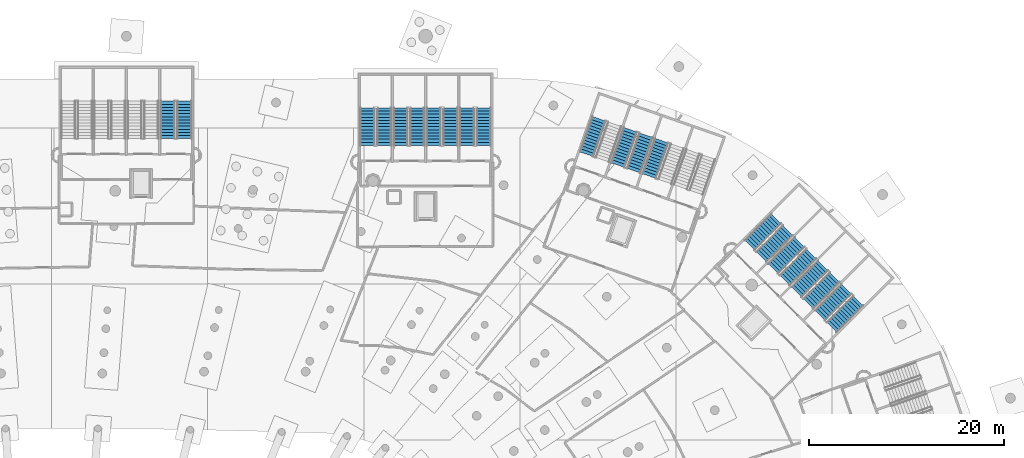
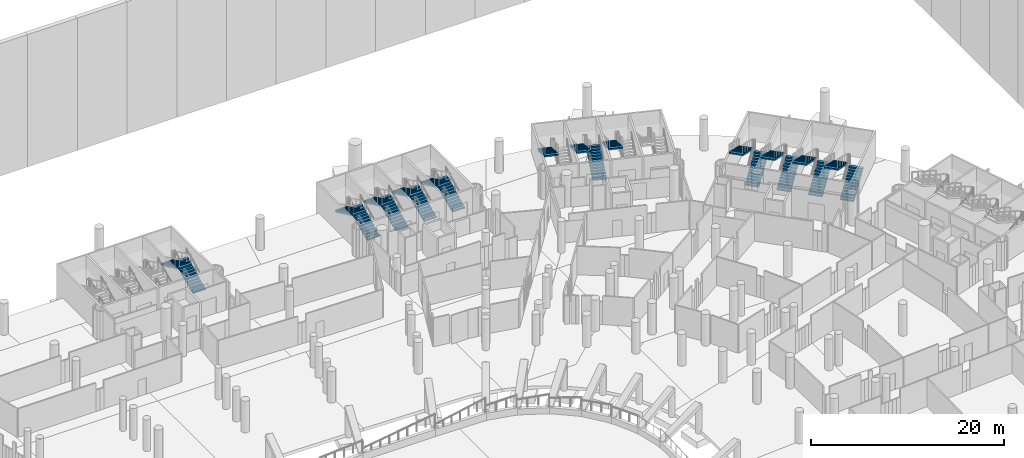
# One storey, part 107 of 142: 22 stair flights, 12 elements without a shape of their own.
"""IFC4 building model written with IfcOpenShell, lengths in metres."""

from ifc_helpers import new_model, si_unit, direction, frame, origin, place, context, subcontext, project, spatial, polyline, outline, extrude, material, type_object, element, aggregate, save


model = new_model("IFC4")

# Units and contexts
model_context = context("Model", 3, precision=1e-05, world=origin(), true_north=direction((0.0, 1.0)))
body_context = subcontext(model_context, "Body", "Model", "MODEL_VIEW")
ifc_project = project(units=[si_unit("LENGTHUNIT", "METRE"), si_unit("AREAUNIT", "SQUARE_METRE"), si_unit("VOLUMEUNIT", "CUBIC_METRE"), si_unit("PLANEANGLEUNIT", "RADIAN"), si_unit("MASSUNIT", "GRAM", prefix="KILO")], contexts=[model_context])

# Site, building, storey
site_placement = place(None, origin())
site = spatial("IfcSite", under=ifc_project, at=site_placement, CompositionType="ELEMENT")
building_placement = place(site_placement, origin())
building = spatial("IfcBuilding", under=site, at=building_placement, Name="Meseta Stadium", CompositionType="ELEMENT")
storey_placement = place(building_placement, frame((0.0, 0.0, -4.0)))
storey = spatial("IfcBuildingStorey", under=building, at=storey_placement, Name="B1", CompositionType="ELEMENT", Elevation=-4.0)

# Stair, stair flights
ifc_material_1 = material(Name="Concrete C40/50", Category="concrete")
stair_type = type_object("IfcStairType", Name="Exit stair 2 flights 154 mm risers", PredefinedType="HALF_TURN_STAIR", material=ifc_material_1)
stair_1_placement = place(storey_placement, origin())
stair_1 = element("IfcStair", 1, at=stair_1_placement, inside=storey, type_object=stair_type, Name="ST25 B1", PredefinedType="HALF_TURN_STAIR")
ifc_material_2 = material(Name="Concrete C40/50", Category="concrete")
stair_flight_type = type_object("IfcStairFlightType", Name="Exit stair flight 154 mm risers, 2 per storey", PredefinedType="STRAIGHT", material=ifc_material_2)
stair_flight_1_placement = place(storey_placement, frame((79.9765625, 75.56201171875, 0.0), z_axis=(0.0, 0.0, 1.0), x_axis=(0.707106781187, 0.707106781187, 0.0)))
stair_flight_1 = element("IfcStairFlight", 2, at=stair_flight_1_placement, type_object=stair_flight_type, Name="ST25 B1 flight 1", NumberOfRisers=13, NumberOfTreads=12, PredefinedType="STRAIGHT", RiserHeight=0.153846154, TreadLength=0.32, context=body_context, shape_type="SweptSolid", body=[
    extrude(outline(polyline([(0.0, 0.0), (0.0, 0.15380859375), (0.320068359375, 0.15380859375), (0.320068359375, 0.3076171875), (0.639892578125, 0.3076171875), (0.639892578125, 0.46142578125), (0.9599609375, 0.46142578125), (0.9599609375, 0.615478515625), (1.280029296875, 0.615478515625), (1.280029296875, 0.769287109375), (1.60009765625, 0.769287109375), (1.60009765625, 0.923095703125), (1.919921875, 0.923095703125), (1.919921875, 1.076904296875), (2.239990234375, 1.076904296875), (2.239990234375, 1.230712890625), (2.56005859375, 1.230712890625), (2.56005859375, 1.384521484375), (2.8798828125, 1.384521484375), (2.8798828125, 1.53857421875), (3.199951171875, 1.53857421875), (3.199951171875, 1.6923828125), (3.52001953125, 1.6923828125), (3.52001953125, 1.84619140625), (3.840087890625, 1.84619140625), (3.840087890625, 1.679931640625), (0.345947265625, 0.0), (0.0, 0.0)])), frame((0.0, 0.75, 0.0), z_axis=(0.0, -1.0, 0.0), x_axis=(1.0, 0.0, 0.0)), (0.0, 0.0, 1.0), 1.5),
])
stair_flight_2_placement = place(storey_placement, frame((81.48974609375, 79.479248046875, 2.0), z_axis=(0.0, 0.0, 1.0), x_axis=(-0.707106781187, -0.707106781187, 0.0)))
stair_flight_2 = element("IfcStairFlight", 3, at=stair_flight_2_placement, type_object=stair_flight_type, Name="ST25 B1 flight 2", NumberOfRisers=13, NumberOfTreads=12, PredefinedType="STRAIGHT", RiserHeight=0.153846154, TreadLength=0.32, context=body_context, shape_type="SweptSolid", body=[
    extrude(outline(polyline([(0.0, 0.0), (0.0, 0.15380859375), (0.320068359375, 0.15380859375), (0.320068359375, 0.3076171875), (0.639892578125, 0.3076171875), (0.639892578125, 0.46142578125), (0.9599609375, 0.46142578125), (0.9599609375, 0.615478515625), (1.280029296875, 0.615478515625), (1.280029296875, 0.769287109375), (1.60009765625, 0.769287109375), (1.60009765625, 0.923095703125), (1.919921875, 0.923095703125), (1.919921875, 1.076904296875), (2.239990234375, 1.076904296875), (2.239990234375, 1.230712890625), (2.56005859375, 1.230712890625), (2.56005859375, 1.384521484375), (2.8798828125, 1.384521484375), (2.8798828125, 1.53857421875), (3.199951171875, 1.53857421875), (3.199951171875, 1.6923828125), (3.52001953125, 1.6923828125), (3.52001953125, 1.84619140625), (3.840087890625, 1.84619140625), (3.840087890625, 1.679931640625), (0.345947265625, 0.0), (0.0, 0.0)])), frame((0.0, 0.75, 0.0), z_axis=(0.0, -1.0, 0.0), x_axis=(1.0, 0.0, 0.0)), (0.0, 0.0, 1.0), 1.5),
])
aggregate(stair_1, [stair_flight_1, stair_flight_2])

stair_2_placement = place(storey_placement, origin())
stair_2 = element("IfcStair", 4, at=stair_2_placement, inside=storey, type_object=stair_type, Name="ST26 B1", PredefinedType="HALF_TURN_STAIR")
stair_flight_3_placement = place(storey_placement, frame((77.572265625, 77.966064453125, 0.0), z_axis=(0.0, 0.0, 1.0), x_axis=(0.707106781187, 0.707106781187, 0.0)))
stair_flight_3 = element("IfcStairFlight", 5, at=stair_flight_3_placement, type_object=stair_flight_type, Name="ST26 B1 flight 1", NumberOfRisers=13, NumberOfTreads=12, PredefinedType="STRAIGHT", RiserHeight=0.153846154, TreadLength=0.32, context=body_context, shape_type="SweptSolid", body=[
    extrude(outline(polyline([(0.0, 0.0), (0.0, 0.15380859375), (0.320068359375, 0.15380859375), (0.320068359375, 0.3076171875), (0.639892578125, 0.3076171875), (0.639892578125, 0.46142578125), (0.9599609375, 0.46142578125), (0.9599609375, 0.615478515625), (1.280029296875, 0.615478515625), (1.280029296875, 0.769287109375), (1.60009765625, 0.769287109375), (1.60009765625, 0.923095703125), (1.919921875, 0.923095703125), (1.919921875, 1.076904296875), (2.239990234375, 1.076904296875), (2.239990234375, 1.230712890625), (2.56005859375, 1.230712890625), (2.56005859375, 1.384521484375), (2.8798828125, 1.384521484375), (2.8798828125, 1.53857421875), (3.199951171875, 1.53857421875), (3.199951171875, 1.6923828125), (3.52001953125, 1.6923828125), (3.52001953125, 1.84619140625), (3.840087890625, 1.84619140625), (3.840087890625, 1.679931640625), (0.345947265625, 0.0), (0.0, 0.0)])), frame((0.0, 0.75, 0.0), z_axis=(0.0, -1.0, 0.0), x_axis=(1.0, 0.0, 0.0)), (0.0, 0.0, 1.0), 1.5),
])
stair_flight_4_placement = place(storey_placement, frame((79.08544921875, 81.883544921875, 2.0), z_axis=(0.0, 0.0, 1.0), x_axis=(-0.707106781187, -0.707106781187, 0.0)))
stair_flight_4 = element("IfcStairFlight", 6, at=stair_flight_4_placement, type_object=stair_flight_type, Name="ST26 B1 flight 2", NumberOfRisers=13, NumberOfTreads=12, PredefinedType="STRAIGHT", RiserHeight=0.153846154, TreadLength=0.32, context=body_context, shape_type="SweptSolid", body=[
    extrude(outline(polyline([(0.0, 0.0), (0.0, 0.15380859375), (0.320068359375, 0.15380859375), (0.320068359375, 0.3076171875), (0.639892578125, 0.3076171875), (0.639892578125, 0.46142578125), (0.9599609375, 0.46142578125), (0.9599609375, 0.615478515625), (1.280029296875, 0.615478515625), (1.280029296875, 0.769287109375), (1.60009765625, 0.769287109375), (1.60009765625, 0.923095703125), (1.919921875, 0.923095703125), (1.919921875, 1.076904296875), (2.239990234375, 1.076904296875), (2.239990234375, 1.230712890625), (2.56005859375, 1.230712890625), (2.56005859375, 1.384521484375), (2.8798828125, 1.384521484375), (2.8798828125, 1.53857421875), (3.199951171875, 1.53857421875), (3.199951171875, 1.6923828125), (3.52001953125, 1.6923828125), (3.52001953125, 1.84619140625), (3.840087890625, 1.84619140625), (3.840087890625, 1.679931640625), (0.345947265625, 0.0), (0.0, 0.0)])), frame((0.0, 0.75, 0.0), z_axis=(0.0, -1.0, 0.0), x_axis=(1.0, 0.0, 0.0)), (0.0, 0.0, 1.0), 1.5),
])
aggregate(stair_2, [stair_flight_3, stair_flight_4])

stair_3_placement = place(storey_placement, origin())
stair_3 = element("IfcStair", 7, at=stair_3_placement, inside=storey, type_object=stair_type, Name="ST27 B1", PredefinedType="HALF_TURN_STAIR")
stair_flight_5_placement = place(storey_placement, frame((75.168212890625, 80.3701171875, 0.0), z_axis=(0.0, 0.0, 1.0), x_axis=(0.707106781187, 0.707106781187, 0.0)))
stair_flight_5 = element("IfcStairFlight", 8, at=stair_flight_5_placement, type_object=stair_flight_type, Name="ST27 B1 flight 1", NumberOfRisers=13, NumberOfTreads=12, PredefinedType="STRAIGHT", RiserHeight=0.153846154, TreadLength=0.32, context=body_context, shape_type="SweptSolid", body=[
    extrude(outline(polyline([(0.0, 0.0), (0.0, 0.15380859375), (0.320068359375, 0.15380859375), (0.320068359375, 0.3076171875), (0.639892578125, 0.3076171875), (0.639892578125, 0.46142578125), (0.9599609375, 0.46142578125), (0.9599609375, 0.615478515625), (1.280029296875, 0.615478515625), (1.280029296875, 0.769287109375), (1.60009765625, 0.769287109375), (1.60009765625, 0.923095703125), (1.919921875, 0.923095703125), (1.919921875, 1.076904296875), (2.239990234375, 1.076904296875), (2.239990234375, 1.230712890625), (2.56005859375, 1.230712890625), (2.56005859375, 1.384521484375), (2.8798828125, 1.384521484375), (2.8798828125, 1.53857421875), (3.199951171875, 1.53857421875), (3.199951171875, 1.6923828125), (3.52001953125, 1.6923828125), (3.52001953125, 1.84619140625), (3.840087890625, 1.84619140625), (3.840087890625, 1.679931640625), (0.345947265625, 0.0), (0.0, 0.0)])), frame((0.0, 0.75, 0.0), z_axis=(0.0, -1.0, 0.0), x_axis=(1.0, 0.0, 0.0)), (0.0, 0.0, 1.0), 1.5),
])
stair_flight_6_placement = place(storey_placement, frame((76.681396484375, 84.28759765625, 2.0), z_axis=(0.0, 0.0, 1.0), x_axis=(-0.707106781187, -0.707106781187, 0.0)))
stair_flight_6 = element("IfcStairFlight", 9, at=stair_flight_6_placement, type_object=stair_flight_type, Name="ST27 B1 flight 2", NumberOfRisers=13, NumberOfTreads=12, PredefinedType="STRAIGHT", RiserHeight=0.153846154, TreadLength=0.32, context=body_context, shape_type="SweptSolid", body=[
    extrude(outline(polyline([(0.0, 0.0), (0.0, 0.15380859375), (0.320068359375, 0.15380859375), (0.320068359375, 0.3076171875), (0.639892578125, 0.3076171875), (0.639892578125, 0.46142578125), (0.9599609375, 0.46142578125), (0.9599609375, 0.615478515625), (1.280029296875, 0.615478515625), (1.280029296875, 0.769287109375), (1.60009765625, 0.769287109375), (1.60009765625, 0.923095703125), (1.919921875, 0.923095703125), (1.919921875, 1.076904296875), (2.239990234375, 1.076904296875), (2.239990234375, 1.230712890625), (2.56005859375, 1.230712890625), (2.56005859375, 1.384521484375), (2.8798828125, 1.384521484375), (2.8798828125, 1.53857421875), (3.199951171875, 1.53857421875), (3.199951171875, 1.6923828125), (3.52001953125, 1.6923828125), (3.52001953125, 1.84619140625), (3.840087890625, 1.84619140625), (3.840087890625, 1.679931640625), (0.345947265625, 0.0), (0.0, 0.0)])), frame((0.0, 0.75, 0.0), z_axis=(0.0, -1.0, 0.0), x_axis=(1.0, 0.0, 0.0)), (0.0, 0.0, 1.0), 1.5),
])
aggregate(stair_3, [stair_flight_5, stair_flight_6])

stair_4_placement = place(storey_placement, origin())
stair_4 = element("IfcStair", 10, at=stair_4_placement, inside=storey, type_object=stair_type, Name="ST28 B1", PredefinedType="HALF_TURN_STAIR")
stair_flight_7_placement = place(storey_placement, frame((72.763916015625, 82.7744140625, 0.0), z_axis=(0.0, 0.0, 1.0), x_axis=(0.707106781187, 0.707106781187, 0.0)))
stair_flight_7 = element("IfcStairFlight", 11, at=stair_flight_7_placement, type_object=stair_flight_type, Name="ST28 B1 flight 1", NumberOfRisers=13, NumberOfTreads=12, PredefinedType="STRAIGHT", RiserHeight=0.153846154, TreadLength=0.32, context=body_context, shape_type="SweptSolid", body=[
    extrude(outline(polyline([(0.0, 0.0), (0.0, 0.15380859375), (0.320068359375, 0.15380859375), (0.320068359375, 0.3076171875), (0.639892578125, 0.3076171875), (0.639892578125, 0.46142578125), (0.9599609375, 0.46142578125), (0.9599609375, 0.615478515625), (1.280029296875, 0.615478515625), (1.280029296875, 0.769287109375), (1.60009765625, 0.769287109375), (1.60009765625, 0.923095703125), (1.919921875, 0.923095703125), (1.919921875, 1.076904296875), (2.239990234375, 1.076904296875), (2.239990234375, 1.230712890625), (2.56005859375, 1.230712890625), (2.56005859375, 1.384521484375), (2.8798828125, 1.384521484375), (2.8798828125, 1.53857421875), (3.199951171875, 1.53857421875), (3.199951171875, 1.6923828125), (3.52001953125, 1.6923828125), (3.52001953125, 1.84619140625), (3.840087890625, 1.84619140625), (3.840087890625, 1.679931640625), (0.345947265625, 0.0), (0.0, 0.0)])), frame((0.0, 0.75, 0.0), z_axis=(0.0, -1.0, 0.0), x_axis=(1.0, 0.0, 0.0)), (0.0, 0.0, 1.0), 1.5),
])
stair_flight_8_placement = place(storey_placement, frame((74.277099609375, 86.691650390625, 2.0), z_axis=(0.0, 0.0, 1.0), x_axis=(-0.707106781187, -0.707106781187, 0.0)))
stair_flight_8 = element("IfcStairFlight", 12, at=stair_flight_8_placement, type_object=stair_flight_type, Name="ST28 B1 flight 2", NumberOfRisers=13, NumberOfTreads=12, PredefinedType="STRAIGHT", RiserHeight=0.153846154, TreadLength=0.32, context=body_context, shape_type="SweptSolid", body=[
    extrude(outline(polyline([(0.0, 0.0), (0.0, 0.15380859375), (0.320068359375, 0.15380859375), (0.320068359375, 0.3076171875), (0.639892578125, 0.3076171875), (0.639892578125, 0.46142578125), (0.9599609375, 0.46142578125), (0.9599609375, 0.615478515625), (1.280029296875, 0.615478515625), (1.280029296875, 0.769287109375), (1.60009765625, 0.769287109375), (1.60009765625, 0.923095703125), (1.919921875, 0.923095703125), (1.919921875, 1.076904296875), (2.239990234375, 1.076904296875), (2.239990234375, 1.230712890625), (2.56005859375, 1.230712890625), (2.56005859375, 1.384521484375), (2.8798828125, 1.384521484375), (2.8798828125, 1.53857421875), (3.199951171875, 1.53857421875), (3.199951171875, 1.6923828125), (3.52001953125, 1.6923828125), (3.52001953125, 1.84619140625), (3.840087890625, 1.84619140625), (3.840087890625, 1.679931640625), (0.345947265625, 0.0), (0.0, 0.0)])), frame((0.0, 0.75, 0.0), z_axis=(0.0, -1.0, 0.0), x_axis=(1.0, 0.0, 0.0)), (0.0, 0.0, 1.0), 1.5),
])
aggregate(stair_4, [stair_flight_7, stair_flight_8])

# Stair, stair flight
stair_5_placement = place(storey_placement, origin())
stair_5 = element("IfcStair", 13, at=stair_5_placement, inside=storey, type_object=stair_type, Name="ST30 B1", PredefinedType="HALF_TURN_STAIR")
stair_flight_9_placement = place(storey_placement, frame((62.536865234375, 94.685791015625, 2.0), z_axis=(0.0, 0.0, 1.0), x_axis=(-0.330279057248, -0.943883331955, 0.0)))
stair_flight_9 = element("IfcStairFlight", 14, at=stair_flight_9_placement, type_object=stair_flight_type, Name="ST30 B1 flight 2", NumberOfRisers=13, NumberOfTreads=12, PredefinedType="STRAIGHT", RiserHeight=0.153846154, TreadLength=0.32, context=body_context, shape_type="SweptSolid", body=[
    extrude(outline(polyline([(0.0, 0.0), (0.0, 0.15380859375), (0.320068359375, 0.15380859375), (0.320068359375, 0.3076171875), (0.639892578125, 0.3076171875), (0.639892578125, 0.46142578125), (0.9599609375, 0.46142578125), (0.9599609375, 0.615478515625), (1.280029296875, 0.615478515625), (1.280029296875, 0.769287109375), (1.60009765625, 0.769287109375), (1.60009765625, 0.923095703125), (1.919921875, 0.923095703125), (1.919921875, 1.076904296875), (2.239990234375, 1.076904296875), (2.239990234375, 1.230712890625), (2.56005859375, 1.230712890625), (2.56005859375, 1.384521484375), (2.8798828125, 1.384521484375), (2.8798828125, 1.53857421875), (3.199951171875, 1.53857421875), (3.199951171875, 1.6923828125), (3.52001953125, 1.6923828125), (3.52001953125, 1.84619140625), (3.840087890625, 1.84619140625), (3.840087890625, 1.679931640625), (0.345947265625, 0.0), (0.0, 0.0)])), frame((0.0, 0.75, 0.0), z_axis=(0.0, -1.0, 0.0), x_axis=(1.0, 0.0, 0.0)), (0.0, 0.0, 1.0), 1.5),
])
aggregate(stair_5, [stair_flight_9])

# Stair, stair flights
stair_6_placement = place(storey_placement, origin())
stair_6 = element("IfcStair", 15, at=stair_6_placement, inside=storey, type_object=stair_type, Name="ST31 B1", PredefinedType="HALF_TURN_STAIR")
stair_flight_10_placement = place(storey_placement, frame((59.663818359375, 91.622802734375, 0.0), z_axis=(0.0, 0.0, 1.0), x_axis=(0.330279057248, 0.943883331955, 0.0)))
stair_flight_10 = element("IfcStairFlight", 16, at=stair_flight_10_placement, type_object=stair_flight_type, Name="ST31 B1 flight 1", NumberOfRisers=13, NumberOfTreads=12, PredefinedType="STRAIGHT", RiserHeight=0.153846154, TreadLength=0.32, context=body_context, shape_type="SweptSolid", body=[
    extrude(outline(polyline([(0.0, 0.0), (0.0, 0.15380859375), (0.320068359375, 0.15380859375), (0.320068359375, 0.3076171875), (0.639892578125, 0.3076171875), (0.639892578125, 0.46142578125), (0.9599609375, 0.46142578125), (0.9599609375, 0.615478515625), (1.280029296875, 0.615478515625), (1.280029296875, 0.769287109375), (1.60009765625, 0.769287109375), (1.60009765625, 0.923095703125), (1.919921875, 0.923095703125), (1.919921875, 1.076904296875), (2.239990234375, 1.076904296875), (2.239990234375, 1.230712890625), (2.56005859375, 1.230712890625), (2.56005859375, 1.384521484375), (2.8798828125, 1.384521484375), (2.8798828125, 1.53857421875), (3.199951171875, 1.53857421875), (3.199951171875, 1.6923828125), (3.52001953125, 1.6923828125), (3.52001953125, 1.84619140625), (3.840087890625, 1.84619140625), (3.840087890625, 1.679931640625), (0.345947265625, 0.0), (0.0, 0.0)])), frame((0.0, 0.75, 0.0), z_axis=(0.0, -1.0, 0.0), x_axis=(1.0, 0.0, 0.0)), (0.0, 0.0, 1.0), 1.5),
])
stair_flight_11_placement = place(storey_placement, frame((59.32763671875, 95.808837890625, 2.0), z_axis=(0.0, 0.0, 1.0), x_axis=(-0.330279057248, -0.943883331955, 0.0)))
stair_flight_11 = element("IfcStairFlight", 17, at=stair_flight_11_placement, type_object=stair_flight_type, Name="ST31 B1 flight 2", NumberOfRisers=13, NumberOfTreads=12, PredefinedType="STRAIGHT", RiserHeight=0.153846154, TreadLength=0.32, context=body_context, shape_type="SweptSolid", body=[
    extrude(outline(polyline([(0.0, 0.0), (0.0, 0.15380859375), (0.320068359375, 0.15380859375), (0.320068359375, 0.3076171875), (0.639892578125, 0.3076171875), (0.639892578125, 0.46142578125), (0.9599609375, 0.46142578125), (0.9599609375, 0.615478515625), (1.280029296875, 0.615478515625), (1.280029296875, 0.769287109375), (1.60009765625, 0.769287109375), (1.60009765625, 0.923095703125), (1.919921875, 0.923095703125), (1.919921875, 1.076904296875), (2.239990234375, 1.076904296875), (2.239990234375, 1.230712890625), (2.56005859375, 1.230712890625), (2.56005859375, 1.384521484375), (2.8798828125, 1.384521484375), (2.8798828125, 1.53857421875), (3.199951171875, 1.53857421875), (3.199951171875, 1.6923828125), (3.52001953125, 1.6923828125), (3.52001953125, 1.84619140625), (3.840087890625, 1.84619140625), (3.840087890625, 1.679931640625), (0.345947265625, 0.0), (0.0, 0.0)])), frame((0.0, 0.75, 0.0), z_axis=(0.0, -1.0, 0.0), x_axis=(1.0, 0.0, 0.0)), (0.0, 0.0, 1.0), 1.5),
])
aggregate(stair_6, [stair_flight_10, stair_flight_11])

# Stair, stair flight
stair_7_placement = place(storey_placement, origin())
stair_7 = element("IfcStair", 18, at=stair_7_placement, inside=storey, type_object=stair_type, Name="ST32 B1", PredefinedType="HALF_TURN_STAIR")
stair_flight_12_placement = place(storey_placement, frame((56.118408203125, 96.931640625, 2.0), z_axis=(0.0, 0.0, 1.0), x_axis=(-0.330279057248, -0.943883331955, 0.0)))
stair_flight_12 = element("IfcStairFlight", 19, at=stair_flight_12_placement, type_object=stair_flight_type, Name="ST32 B1 flight 2", NumberOfRisers=13, NumberOfTreads=12, PredefinedType="STRAIGHT", RiserHeight=0.153846154, TreadLength=0.32, context=body_context, shape_type="SweptSolid", body=[
    extrude(outline(polyline([(0.0, 0.0), (0.0, 0.15380859375), (0.320068359375, 0.15380859375), (0.320068359375, 0.3076171875), (0.639892578125, 0.3076171875), (0.639892578125, 0.46142578125), (0.9599609375, 0.46142578125), (0.9599609375, 0.615478515625), (1.280029296875, 0.615478515625), (1.280029296875, 0.769287109375), (1.60009765625, 0.769287109375), (1.60009765625, 0.923095703125), (1.919921875, 0.923095703125), (1.919921875, 1.076904296875), (2.239990234375, 1.076904296875), (2.239990234375, 1.230712890625), (2.56005859375, 1.230712890625), (2.56005859375, 1.384521484375), (2.8798828125, 1.384521484375), (2.8798828125, 1.53857421875), (3.199951171875, 1.53857421875), (3.199951171875, 1.6923828125), (3.52001953125, 1.6923828125), (3.52001953125, 1.84619140625), (3.840087890625, 1.84619140625), (3.840087890625, 1.679931640625), (0.345947265625, 0.0), (0.0, 0.0)])), frame((0.0, 0.75, 0.0), z_axis=(0.0, -1.0, 0.0), x_axis=(1.0, 0.0, 0.0)), (0.0, 0.0, 1.0), 1.5),
])
aggregate(stair_7, [stair_flight_12])

# Stair, stair flights
stair_8_placement = place(storey_placement, origin())
stair_8 = element("IfcStair", 20, at=stair_8_placement, inside=storey, type_object=stair_type, Name="ST33 B1", PredefinedType="HALF_TURN_STAIR")
stair_flight_13_placement = place(storey_placement, frame((44.283447265625, 94.199951171875, 0.0), z_axis=(0.0, 0.0, 1.0), x_axis=(0.0, 1.0, 0.0)))
stair_flight_13 = element("IfcStairFlight", 21, at=stair_flight_13_placement, type_object=stair_flight_type, Name="ST33 B1 flight 1", NumberOfRisers=13, NumberOfTreads=12, PredefinedType="STRAIGHT", RiserHeight=0.153846154, TreadLength=0.32, context=body_context, shape_type="SweptSolid", body=[
    extrude(outline(polyline([(0.0, 0.0), (0.0, 0.15380859375), (0.320068359375, 0.15380859375), (0.320068359375, 0.3076171875), (0.639892578125, 0.3076171875), (0.639892578125, 0.46142578125), (0.9599609375, 0.46142578125), (0.9599609375, 0.615478515625), (1.280029296875, 0.615478515625), (1.280029296875, 0.769287109375), (1.60009765625, 0.769287109375), (1.60009765625, 0.923095703125), (1.919921875, 0.923095703125), (1.919921875, 1.076904296875), (2.239990234375, 1.076904296875), (2.239990234375, 1.230712890625), (2.56005859375, 1.230712890625), (2.56005859375, 1.384521484375), (2.8798828125, 1.384521484375), (2.8798828125, 1.53857421875), (3.199951171875, 1.53857421875), (3.199951171875, 1.6923828125), (3.52001953125, 1.6923828125), (3.52001953125, 1.84619140625), (3.840087890625, 1.84619140625), (3.840087890625, 1.679931640625), (0.345947265625, 0.0), (0.0, 0.0)])), frame((0.0, 0.75, 0.0), z_axis=(0.0, -1.0, 0.0), x_axis=(1.0, 0.0, 0.0)), (0.0, 0.0, 1.0), 1.5),
])
stair_flight_14_placement = place(storey_placement, frame((42.583251953125, 98.0400390625, 2.0), z_axis=(0.0, 0.0, 1.0), x_axis=(0.0, -1.0, 0.0)))
stair_flight_14 = element("IfcStairFlight", 22, at=stair_flight_14_placement, type_object=stair_flight_type, Name="ST33 B1 flight 2", NumberOfRisers=13, NumberOfTreads=12, PredefinedType="STRAIGHT", RiserHeight=0.153846154, TreadLength=0.32, context=body_context, shape_type="SweptSolid", body=[
    extrude(outline(polyline([(0.0, 0.0), (0.0, 0.15380859375), (0.320068359375, 0.15380859375), (0.320068359375, 0.3076171875), (0.639892578125, 0.3076171875), (0.639892578125, 0.46142578125), (0.9599609375, 0.46142578125), (0.9599609375, 0.615478515625), (1.280029296875, 0.615478515625), (1.280029296875, 0.769287109375), (1.60009765625, 0.769287109375), (1.60009765625, 0.923095703125), (1.919921875, 0.923095703125), (1.919921875, 1.076904296875), (2.239990234375, 1.076904296875), (2.239990234375, 1.230712890625), (2.56005859375, 1.230712890625), (2.56005859375, 1.384521484375), (2.8798828125, 1.384521484375), (2.8798828125, 1.53857421875), (3.199951171875, 1.53857421875), (3.199951171875, 1.6923828125), (3.52001953125, 1.6923828125), (3.52001953125, 1.84619140625), (3.840087890625, 1.84619140625), (3.840087890625, 1.679931640625), (0.345947265625, 0.0), (0.0, 0.0)])), frame((0.0, 0.75, 0.0), z_axis=(0.0, -1.0, 0.0), x_axis=(1.0, 0.0, 0.0)), (0.0, 0.0, 1.0), 1.5),
])
aggregate(stair_8, [stair_flight_13, stair_flight_14])

stair_9_placement = place(storey_placement, origin())
stair_9 = element("IfcStair", 23, at=stair_9_placement, inside=storey, type_object=stair_type, Name="ST34 B1", PredefinedType="HALF_TURN_STAIR")
stair_flight_15_placement = place(storey_placement, frame((40.88330078125, 94.199951171875, 0.0), z_axis=(0.0, 0.0, 1.0), x_axis=(0.0, 1.0, 0.0)))
stair_flight_15 = element("IfcStairFlight", 24, at=stair_flight_15_placement, type_object=stair_flight_type, Name="ST34 B1 flight 1", NumberOfRisers=13, NumberOfTreads=12, PredefinedType="STRAIGHT", RiserHeight=0.153846154, TreadLength=0.32, context=body_context, shape_type="SweptSolid", body=[
    extrude(outline(polyline([(0.0, 0.0), (0.0, 0.15380859375), (0.320068359375, 0.15380859375), (0.320068359375, 0.3076171875), (0.639892578125, 0.3076171875), (0.639892578125, 0.46142578125), (0.9599609375, 0.46142578125), (0.9599609375, 0.615478515625), (1.280029296875, 0.615478515625), (1.280029296875, 0.769287109375), (1.60009765625, 0.769287109375), (1.60009765625, 0.923095703125), (1.919921875, 0.923095703125), (1.919921875, 1.076904296875), (2.239990234375, 1.076904296875), (2.239990234375, 1.230712890625), (2.56005859375, 1.230712890625), (2.56005859375, 1.384521484375), (2.8798828125, 1.384521484375), (2.8798828125, 1.53857421875), (3.199951171875, 1.53857421875), (3.199951171875, 1.6923828125), (3.52001953125, 1.6923828125), (3.52001953125, 1.84619140625), (3.840087890625, 1.84619140625), (3.840087890625, 1.679931640625), (0.345947265625, 0.0), (0.0, 0.0)])), frame((0.0, 0.75, 0.0), z_axis=(0.0, -1.0, 0.0), x_axis=(1.0, 0.0, 0.0)), (0.0, 0.0, 1.0), 1.5),
])
stair_flight_16_placement = place(storey_placement, frame((39.183349609375, 98.0400390625, 2.0), z_axis=(0.0, 0.0, 1.0), x_axis=(0.0, -1.0, 0.0)))
stair_flight_16 = element("IfcStairFlight", 25, at=stair_flight_16_placement, type_object=stair_flight_type, Name="ST34 B1 flight 2", NumberOfRisers=13, NumberOfTreads=12, PredefinedType="STRAIGHT", RiserHeight=0.153846154, TreadLength=0.32, context=body_context, shape_type="SweptSolid", body=[
    extrude(outline(polyline([(0.0, 0.0), (0.0, 0.15380859375), (0.320068359375, 0.15380859375), (0.320068359375, 0.3076171875), (0.639892578125, 0.3076171875), (0.639892578125, 0.46142578125), (0.9599609375, 0.46142578125), (0.9599609375, 0.615478515625), (1.280029296875, 0.615478515625), (1.280029296875, 0.769287109375), (1.60009765625, 0.769287109375), (1.60009765625, 0.923095703125), (1.919921875, 0.923095703125), (1.919921875, 1.076904296875), (2.239990234375, 1.076904296875), (2.239990234375, 1.230712890625), (2.56005859375, 1.230712890625), (2.56005859375, 1.384521484375), (2.8798828125, 1.384521484375), (2.8798828125, 1.53857421875), (3.199951171875, 1.53857421875), (3.199951171875, 1.6923828125), (3.52001953125, 1.6923828125), (3.52001953125, 1.84619140625), (3.840087890625, 1.84619140625), (3.840087890625, 1.679931640625), (0.345947265625, 0.0), (0.0, 0.0)])), frame((0.0, 0.75, 0.0), z_axis=(0.0, -1.0, 0.0), x_axis=(1.0, 0.0, 0.0)), (0.0, 0.0, 1.0), 1.5),
])
aggregate(stair_9, [stair_flight_15, stair_flight_16])

stair_10_placement = place(storey_placement, origin())
stair_10 = element("IfcStair", 26, at=stair_10_placement, inside=storey, type_object=stair_type, Name="ST35 B1", PredefinedType="HALF_TURN_STAIR")
stair_flight_17_placement = place(storey_placement, frame((37.4833984375, 94.199951171875, 0.0), z_axis=(0.0, 0.0, 1.0), x_axis=(0.0, 1.0, 0.0)))
stair_flight_17 = element("IfcStairFlight", 27, at=stair_flight_17_placement, type_object=stair_flight_type, Name="ST35 B1 flight 1", NumberOfRisers=13, NumberOfTreads=12, PredefinedType="STRAIGHT", RiserHeight=0.153846154, TreadLength=0.32, context=body_context, shape_type="SweptSolid", body=[
    extrude(outline(polyline([(0.0, 0.0), (0.0, 0.15380859375), (0.320068359375, 0.15380859375), (0.320068359375, 0.3076171875), (0.639892578125, 0.3076171875), (0.639892578125, 0.46142578125), (0.9599609375, 0.46142578125), (0.9599609375, 0.615478515625), (1.280029296875, 0.615478515625), (1.280029296875, 0.769287109375), (1.60009765625, 0.769287109375), (1.60009765625, 0.923095703125), (1.919921875, 0.923095703125), (1.919921875, 1.076904296875), (2.239990234375, 1.076904296875), (2.239990234375, 1.230712890625), (2.56005859375, 1.230712890625), (2.56005859375, 1.384521484375), (2.8798828125, 1.384521484375), (2.8798828125, 1.53857421875), (3.199951171875, 1.53857421875), (3.199951171875, 1.6923828125), (3.52001953125, 1.6923828125), (3.52001953125, 1.84619140625), (3.840087890625, 1.84619140625), (3.840087890625, 1.679931640625), (0.345947265625, 0.0), (0.0, 0.0)])), frame((0.0, 0.75, 0.0), z_axis=(0.0, -1.0, 0.0), x_axis=(1.0, 0.0, 0.0)), (0.0, 0.0, 1.0), 1.5),
])
stair_flight_18_placement = place(storey_placement, frame((35.783447265625, 98.0400390625, 2.0), z_axis=(0.0, 0.0, 1.0), x_axis=(0.0, -1.0, 0.0)))
stair_flight_18 = element("IfcStairFlight", 28, at=stair_flight_18_placement, type_object=stair_flight_type, Name="ST35 B1 flight 2", NumberOfRisers=13, NumberOfTreads=12, PredefinedType="STRAIGHT", RiserHeight=0.153846154, TreadLength=0.32, context=body_context, shape_type="SweptSolid", body=[
    extrude(outline(polyline([(0.0, 0.0), (0.0, 0.15380859375), (0.320068359375, 0.15380859375), (0.320068359375, 0.3076171875), (0.639892578125, 0.3076171875), (0.639892578125, 0.46142578125), (0.9599609375, 0.46142578125), (0.9599609375, 0.615478515625), (1.280029296875, 0.615478515625), (1.280029296875, 0.769287109375), (1.60009765625, 0.769287109375), (1.60009765625, 0.923095703125), (1.919921875, 0.923095703125), (1.919921875, 1.076904296875), (2.239990234375, 1.076904296875), (2.239990234375, 1.230712890625), (2.56005859375, 1.230712890625), (2.56005859375, 1.384521484375), (2.8798828125, 1.384521484375), (2.8798828125, 1.53857421875), (3.199951171875, 1.53857421875), (3.199951171875, 1.6923828125), (3.52001953125, 1.6923828125), (3.52001953125, 1.84619140625), (3.840087890625, 1.84619140625), (3.840087890625, 1.679931640625), (0.345947265625, 0.0), (0.0, 0.0)])), frame((0.0, 0.75, 0.0), z_axis=(0.0, -1.0, 0.0), x_axis=(1.0, 0.0, 0.0)), (0.0, 0.0, 1.0), 1.5),
])
aggregate(stair_10, [stair_flight_17, stair_flight_18])

stair_11_placement = place(storey_placement, origin())
stair_11 = element("IfcStair", 29, at=stair_11_placement, inside=storey, type_object=stair_type, Name="ST36 B1", PredefinedType="HALF_TURN_STAIR")
stair_flight_19_placement = place(storey_placement, frame((34.083251953125, 94.199951171875, 0.0), z_axis=(0.0, 0.0, 1.0), x_axis=(0.0, 1.0, 0.0)))
stair_flight_19 = element("IfcStairFlight", 30, at=stair_flight_19_placement, type_object=stair_flight_type, Name="ST36 B1 flight 1", NumberOfRisers=13, NumberOfTreads=12, PredefinedType="STRAIGHT", RiserHeight=0.153846154, TreadLength=0.32, context=body_context, shape_type="SweptSolid", body=[
    extrude(outline(polyline([(0.0, 0.0), (0.0, 0.15380859375), (0.320068359375, 0.15380859375), (0.320068359375, 0.3076171875), (0.639892578125, 0.3076171875), (0.639892578125, 0.46142578125), (0.9599609375, 0.46142578125), (0.9599609375, 0.615478515625), (1.280029296875, 0.615478515625), (1.280029296875, 0.769287109375), (1.60009765625, 0.769287109375), (1.60009765625, 0.923095703125), (1.919921875, 0.923095703125), (1.919921875, 1.076904296875), (2.239990234375, 1.076904296875), (2.239990234375, 1.230712890625), (2.56005859375, 1.230712890625), (2.56005859375, 1.384521484375), (2.8798828125, 1.384521484375), (2.8798828125, 1.53857421875), (3.199951171875, 1.53857421875), (3.199951171875, 1.6923828125), (3.52001953125, 1.6923828125), (3.52001953125, 1.84619140625), (3.840087890625, 1.84619140625), (3.840087890625, 1.679931640625), (0.345947265625, 0.0), (0.0, 0.0)])), frame((0.0, 0.75, 0.0), z_axis=(0.0, -1.0, 0.0), x_axis=(1.0, 0.0, 0.0)), (0.0, 0.0, 1.0), 1.5),
])
stair_flight_20_placement = place(storey_placement, frame((32.38330078125, 98.0400390625, 2.0), z_axis=(0.0, 0.0, 1.0), x_axis=(0.0, -1.0, 0.0)))
stair_flight_20 = element("IfcStairFlight", 31, at=stair_flight_20_placement, type_object=stair_flight_type, Name="ST36 B1 flight 2", NumberOfRisers=13, NumberOfTreads=12, PredefinedType="STRAIGHT", RiserHeight=0.153846154, TreadLength=0.32, context=body_context, shape_type="SweptSolid", body=[
    extrude(outline(polyline([(0.0, 0.0), (0.0, 0.15380859375), (0.320068359375, 0.15380859375), (0.320068359375, 0.3076171875), (0.639892578125, 0.3076171875), (0.639892578125, 0.46142578125), (0.9599609375, 0.46142578125), (0.9599609375, 0.615478515625), (1.280029296875, 0.615478515625), (1.280029296875, 0.769287109375), (1.60009765625, 0.769287109375), (1.60009765625, 0.923095703125), (1.919921875, 0.923095703125), (1.919921875, 1.076904296875), (2.239990234375, 1.076904296875), (2.239990234375, 1.230712890625), (2.56005859375, 1.230712890625), (2.56005859375, 1.384521484375), (2.8798828125, 1.384521484375), (2.8798828125, 1.53857421875), (3.199951171875, 1.53857421875), (3.199951171875, 1.6923828125), (3.52001953125, 1.6923828125), (3.52001953125, 1.84619140625), (3.840087890625, 1.84619140625), (3.840087890625, 1.679931640625), (0.345947265625, 0.0), (0.0, 0.0)])), frame((0.0, 0.75, 0.0), z_axis=(0.0, -1.0, 0.0), x_axis=(1.0, 0.0, 0.0)), (0.0, 0.0, 1.0), 1.5),
])
aggregate(stair_11, [stair_flight_19, stair_flight_20])

stair_12_placement = place(storey_placement, origin())
stair_12 = element("IfcStair", 32, at=stair_12_placement, inside=storey, type_object=stair_type, Name="ST37 B1", PredefinedType="HALF_TURN_STAIR")
stair_flight_21_placement = place(storey_placement, frame((13.61669921875, 94.89990234375, 0.0), z_axis=(0.0, 0.0, 1.0), x_axis=(0.0, 1.0, 0.0)))
stair_flight_21 = element("IfcStairFlight", 33, at=stair_flight_21_placement, type_object=stair_flight_type, Name="ST37 B1 flight 1", NumberOfRisers=13, NumberOfTreads=12, PredefinedType="STRAIGHT", RiserHeight=0.153846154, TreadLength=0.32, context=body_context, shape_type="SweptSolid", body=[
    extrude(outline(polyline([(0.0, 0.0), (0.0, 0.15380859375), (0.320068359375, 0.15380859375), (0.320068359375, 0.3076171875), (0.639892578125, 0.3076171875), (0.639892578125, 0.46142578125), (0.9599609375, 0.46142578125), (0.9599609375, 0.615478515625), (1.280029296875, 0.615478515625), (1.280029296875, 0.769287109375), (1.60009765625, 0.769287109375), (1.60009765625, 0.923095703125), (1.919921875, 0.923095703125), (1.919921875, 1.076904296875), (2.239990234375, 1.076904296875), (2.239990234375, 1.230712890625), (2.56005859375, 1.230712890625), (2.56005859375, 1.384521484375), (2.8798828125, 1.384521484375), (2.8798828125, 1.53857421875), (3.199951171875, 1.53857421875), (3.199951171875, 1.6923828125), (3.52001953125, 1.6923828125), (3.52001953125, 1.84619140625), (3.840087890625, 1.84619140625), (3.840087890625, 1.679931640625), (0.345947265625, 0.0), (0.0, 0.0)])), frame((0.0, 0.75, 0.0), z_axis=(0.0, -1.0, 0.0), x_axis=(1.0, 0.0, 0.0)), (0.0, 0.0, 1.0), 1.5),
])
stair_flight_22_placement = place(storey_placement, frame((11.916748046875, 98.739990234375, 2.0), z_axis=(0.0, 0.0, 1.0), x_axis=(0.0, -1.0, 0.0)))
stair_flight_22 = element("IfcStairFlight", 34, at=stair_flight_22_placement, type_object=stair_flight_type, Name="ST37 B1 flight 2", NumberOfRisers=13, NumberOfTreads=12, PredefinedType="STRAIGHT", RiserHeight=0.153846154, TreadLength=0.32, context=body_context, shape_type="SweptSolid", body=[
    extrude(outline(polyline([(0.0, 0.0), (0.0, 0.15380859375), (0.320068359375, 0.15380859375), (0.320068359375, 0.3076171875), (0.639892578125, 0.3076171875), (0.639892578125, 0.46142578125), (0.9599609375, 0.46142578125), (0.9599609375, 0.615478515625), (1.280029296875, 0.615478515625), (1.280029296875, 0.769287109375), (1.60009765625, 0.769287109375), (1.60009765625, 0.923095703125), (1.919921875, 0.923095703125), (1.919921875, 1.076904296875), (2.239990234375, 1.076904296875), (2.239990234375, 1.230712890625), (2.56005859375, 1.230712890625), (2.56005859375, 1.384521484375), (2.8798828125, 1.384521484375), (2.8798828125, 1.53857421875), (3.199951171875, 1.53857421875), (3.199951171875, 1.6923828125), (3.52001953125, 1.6923828125), (3.52001953125, 1.84619140625), (3.840087890625, 1.84619140625), (3.840087890625, 1.679931640625), (0.345947265625, 0.0), (0.0, 0.0)])), frame((0.0, 0.75, 0.0), z_axis=(0.0, -1.0, 0.0), x_axis=(1.0, 0.0, 0.0)), (0.0, 0.0, 1.0), 1.5),
])
aggregate(stair_12, [stair_flight_21, stair_flight_22])

save(model, "model.ifc")
